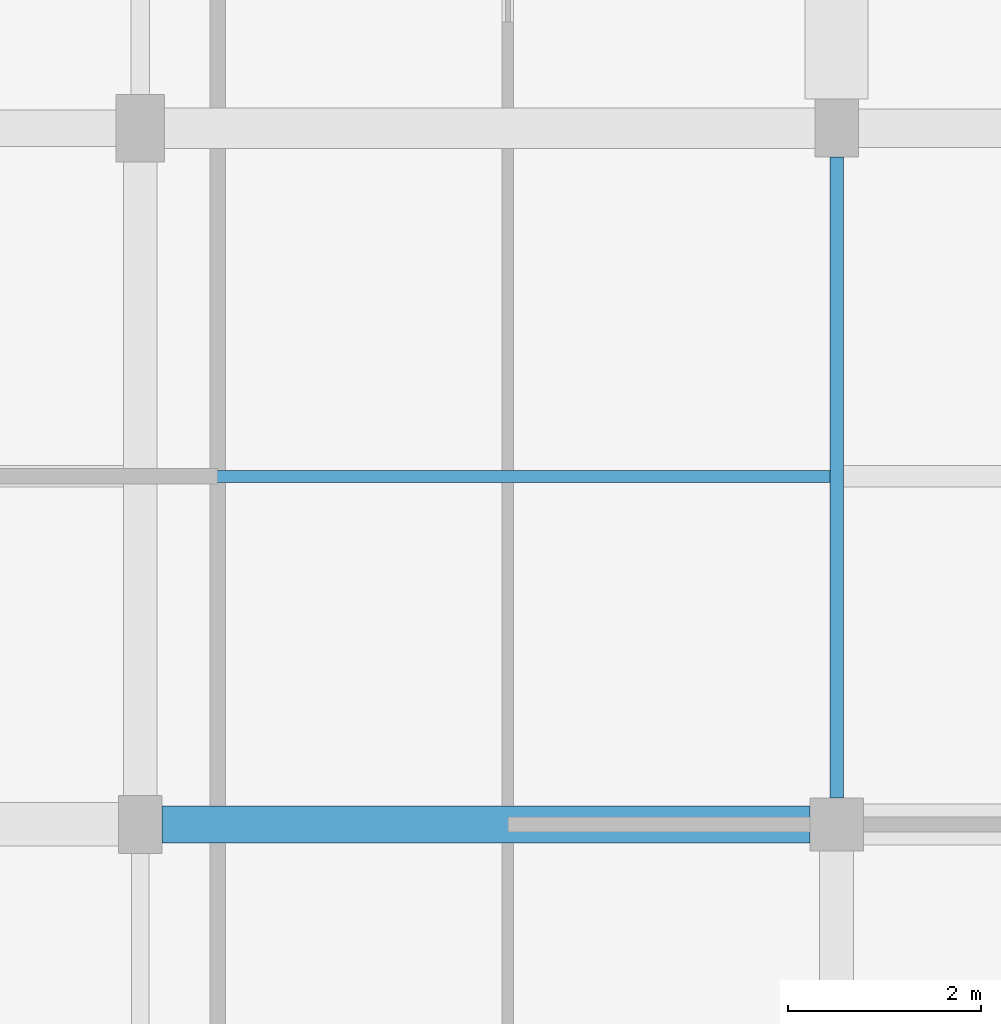
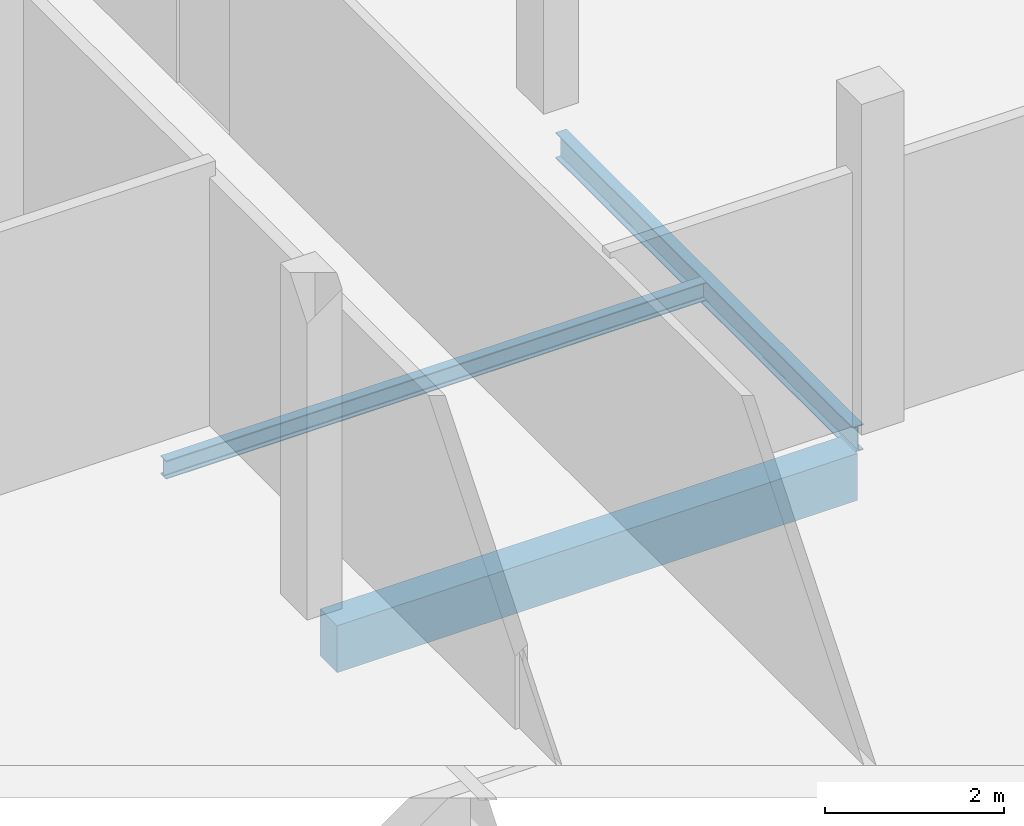
# One storey, part 19 of 57: 3 beams.
"""IFC4 building model written with IfcOpenShell, lengths in metres."""

from ifc_helpers import new_model, si_unit, direction, frame, origin, origin_2d, place, context, subcontext, project, spatial, rectangle, i_section, extrude, material, material_profile, profile_set, type_object, element, save


model = new_model("IFC4")

# Units and contexts
model_context = context("Model", 3, precision=1e-05, world=origin(), true_north=direction((0.0, 1.0)))
body_context = subcontext(model_context, "Body", "Model", "MODEL_VIEW")
ifc_project = project(units=[si_unit("LENGTHUNIT", "METRE"), si_unit("AREAUNIT", "SQUARE_METRE"), si_unit("VOLUMEUNIT", "CUBIC_METRE"), si_unit("PLANEANGLEUNIT", "RADIAN"), si_unit("MASSUNIT", "GRAM", prefix="KILO")], contexts=[model_context])

# Site, building, storey
site_placement = place(None, origin())
site = spatial("IfcSite", under=ifc_project, at=site_placement, CompositionType="ELEMENT")
building_placement = place(site_placement, origin())
building = spatial("IfcBuilding", under=site, at=building_placement, Name="Kalluvel Institute of Natural Sciences", CompositionType="ELEMENT")
storey_placement = place(building_placement, frame((0.0, 0.0, 23.39990234375)))
storey = spatial("IfcBuildingStorey", under=building, at=storey_placement, Name="L05", CompositionType="ELEMENT", Elevation=23.39990234375)

# Beams
ifc_material_1 = material(Name="Steel E350 Grade 350", Category="steel")
ifc_material_profile_1 = material_profile(ifc_material_1, i_section(OverallWidth=0.139892578125, OverallDepth=0.35009765625, WebThickness=0.008056640625, FlangeThickness=0.01416015625, FilletRadius=0.013916015625, at=origin_2d()), Name="ISMB 350")
ifc_profile_set_1 = profile_set([ifc_material_profile_1], Name="Steel E350 Grade 350")
beam_type_1 = type_object("IfcBeamType", Name="BM-ISMB350", PredefinedType="BEAM", material=ifc_profile_set_1)
beam_1_placement = place(storey_placement, frame((28.39990234375, 79.074951171875, -0.474853515625), z_axis=(0.0, 1.0, 0.0), x_axis=(-1.0, 0.0, 0.0)))
element("IfcBeam", 1, at=beam_1_placement, inside=storey, type_object=beam_type_1, Name="L05 girder GIR-L05-NS-X284-Y788", PredefinedType="BEAM", context=body_context, shape_type="SweptSolid", body=[
    extrude(i_section(OverallWidth=0.139892578125, OverallDepth=0.35009765625, WebThickness=0.008056640625, FlangeThickness=0.01416015625, FilletRadius=0.013916015625, at=origin_2d()), origin(), (0.0, 0.0, 1.0), 6.625),
])
ifc_material_2 = material(Name="Concrete M40", Category="concrete")
ifc_material_profile_2 = material_profile(ifc_material_2, rectangle(XDim=0.3798828125, YDim=0.639892578125, at=origin_2d()), Name="RCB 380x640")
ifc_profile_set_2 = profile_set([ifc_material_profile_2], Name="Concrete M40")
beam_type_2 = type_object("IfcBeamType", Name="BM-RC380x640", PredefinedType="BEAM", material=ifc_profile_set_2)
beam_2_placement = place(storey_placement, frame((21.425048828125, 78.800048828125, -0.619873046875), z_axis=(1.0, 0.0, 0.0), x_axis=(0.0, 1.0, 0.0)))
element("IfcBeam", 2, at=beam_2_placement, inside=storey, type_object=beam_type_2, Name="L05 girder GIR-L05-EW-X212-Y788", PredefinedType="BEAM", context=body_context, shape_type="SweptSolid", body=[
    extrude(rectangle(XDim=0.3798828125, YDim=0.639892578125, at=origin_2d()), origin(), (0.0, 0.0, 1.0), 6.699951171875),
])
ifc_material_profile_3 = material_profile(ifc_material_1, i_section(OverallWidth=0.125, OverallDepth=0.25, WebThickness=0.0068359375, FlangeThickness=0.012451171875, FilletRadius=0.012939453125, at=origin_2d()), Name="ISMB 250")
ifc_profile_set_3 = profile_set([ifc_material_profile_3], Name="Steel E350 Grade 350")
beam_type_3 = type_object("IfcBeamType", Name="WJ-ISMB250", PredefinedType="JOIST", material=ifc_profile_set_3)
beam_3_placement = place(storey_placement, frame((21.375, 82.39990234375, -0.4248046875), z_axis=(1.0, 0.0, 0.0), x_axis=(0.0, 1.0, 0.0)))
element("IfcBeam", 3, at=beam_3_placement, inside=storey, type_object=beam_type_3, Name="L05 floor rib RIB-L05-0753", PredefinedType="JOIST", context=body_context, shape_type="SweptSolid", body=[
    extrude(i_section(OverallWidth=0.125, OverallDepth=0.25, WebThickness=0.0068359375, FlangeThickness=0.012451171875, FilletRadius=0.012939453125, at=origin_2d()), origin(), (0.0, 0.0, 1.0), 6.955078125),
])

save(model, "model.ifc")
